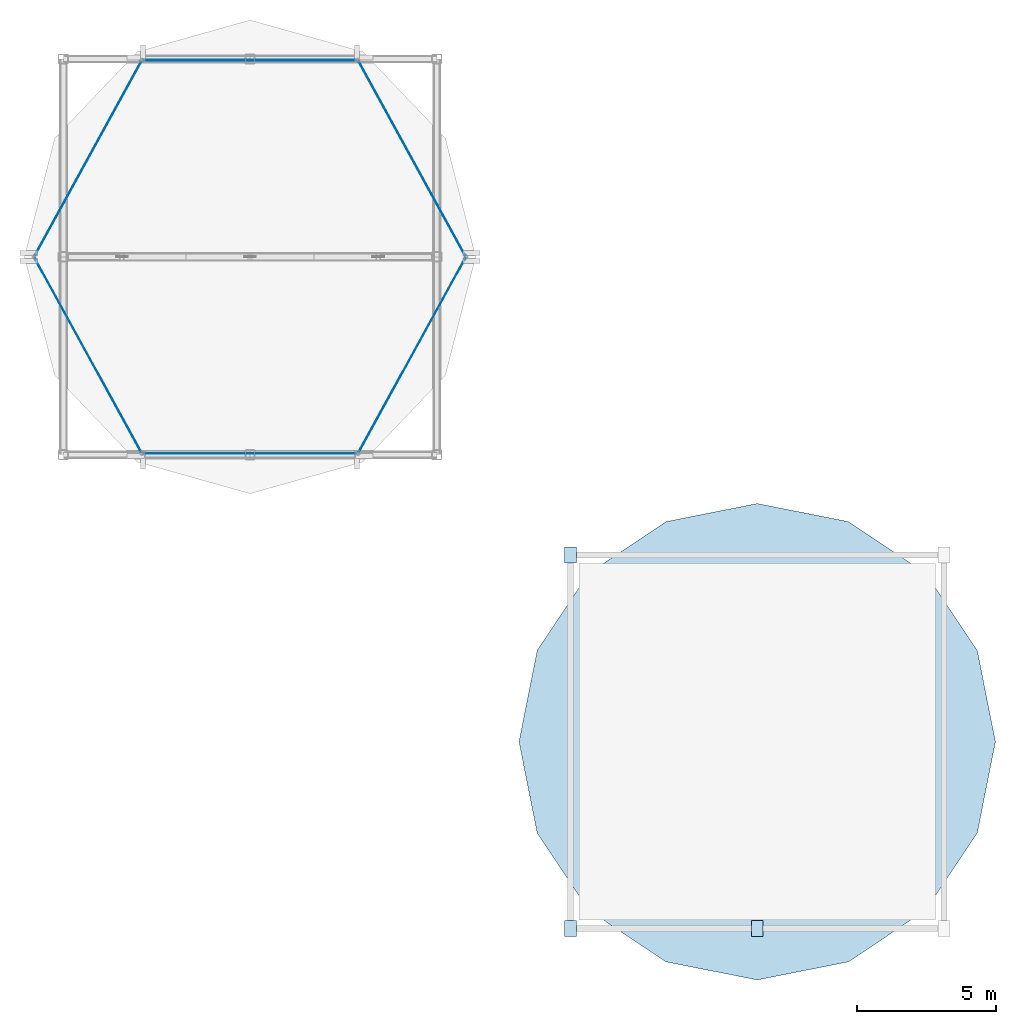
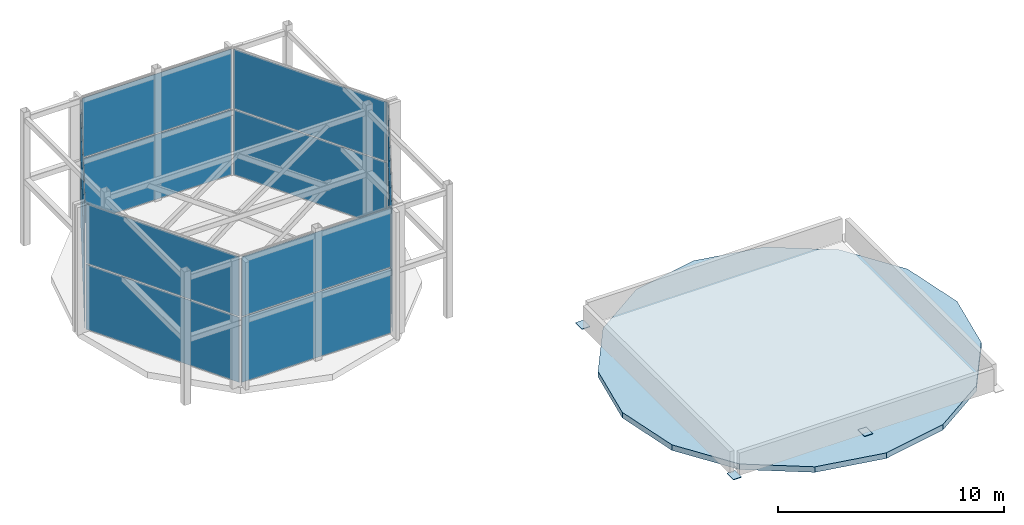
# One storey, part 6 of 8: 15 plates, 1 slab, 6 elements without a shape of their own.
"""IFC4 building model written with IfcOpenShell, lengths in metres."""

import ifcopenshell
import ifcopenshell.guid

model = None  # the IFC model being written
_history = None  # IfcOwnerHistory: only IFC2X3 demands one
_inside = {}  # id of a spatial element -> (the spatial element, [elements in it])
_under = {}  # id of a project, library or spatial element -> (it, [spatial elements below it])
_declared = {}  # id of a project -> (the project, [libraries it declares])
_typed = {}  # id of a type object -> (the type object, [elements of that type])
_made_of = {}  # id of a material, layer set ... -> (it, [elements and type objects made of it])


def new_model(schema):
    """Start an empty IFC model of exactly this schema.

    Asked for "IFC4X3", IfcOpenShell would pick the latest addendum, in which some entities
    have other attributes; the version numbers below select the first issue.
    IFC2X3 requires an IfcOwnerHistory on every rooted entity: one is made here for all.
    """
    global model, _history
    if schema == "IFC4X3":
        model = ifcopenshell.file(schema_version=(4, 3, 0, 0))
    else:
        model = ifcopenshell.file(schema=schema)
    _inside.clear()
    _under.clear()
    _declared.clear()
    _typed.clear()
    _made_of.clear()
    _history = None
    if model.schema == "IFC2X3":
        org = make("IfcOrganization", Name="unknown")
        user = make(
            "IfcPersonAndOrganization",
            ThePerson=make("IfcPerson", FamilyName="unknown"),
            TheOrganization=org,
        )
        app = make(
            "IfcApplication",
            ApplicationDeveloper=org,
            Version="unknown",
            ApplicationFullName="unknown",
            ApplicationIdentifier="unknown",
        )
        _history = make(
            "IfcOwnerHistory",
            OwningUser=user,
            OwningApplication=app,
            ChangeAction="ADDED",
            CreationDate=0,
        )
    return model


def make(cls, **values):
    """One entity of the class cls with the attributes given. An attribute that is None is left unset."""
    return model.create_entity(
        cls, **{name: value for name, value in values.items() if value is not None}
    )


def rooted(cls, **values):
    """An entity with a GlobalId (a new one), such as an element, a storey or a relation."""
    return make(cls, GlobalId=ifcopenshell.guid.new(), OwnerHistory=_history, **values)


def si_unit(unit_type, name, prefix=None):
    """IfcSIUnit, for example si_unit("LENGTHUNIT", "METRE", prefix="MILLI")."""
    return make("IfcSIUnit", UnitType=unit_type, Prefix=prefix, Name=name)


def assignment(units):
    """IfcUnitAssignment: the units of a project."""
    return None if units is None else make("IfcUnitAssignment", Units=units)


def point(xyz):
    """IfcCartesianPoint."""
    return None if xyz is None else make("IfcCartesianPoint", Coordinates=xyz)


def direction(xyz):
    """IfcDirection."""
    return None if xyz is None else make("IfcDirection", DirectionRatios=xyz)


def frame(location, z_axis=None, x_axis=None):
    """IfcAxis2Placement3D, a coordinate frame: its origin and axes. An axis left out is left unset."""
    return make(
        "IfcAxis2Placement3D",
        Location=point(location),
        Axis=direction(z_axis),
        RefDirection=direction(x_axis),
    )


def frame_2d(location, x_axis=None):
    """IfcAxis2Placement2D, a coordinate frame in the plane: its origin and x axis."""
    return make(
        "IfcAxis2Placement2D", Location=point(location), RefDirection=direction(x_axis)
    )


def origin():
    """The frame at (0, 0, 0) with its axes left unset."""
    return frame((0.0, 0.0, 0.0))


def origin_2d():
    """The frame at (0, 0) in the plane with its x axis left unset."""
    return frame_2d((0.0, 0.0))


def place(relative_to, where):
    """IfcLocalPlacement: puts the frame where relative to a parent placement (None: the world)."""
    return make(
        "IfcLocalPlacement", PlacementRelTo=relative_to, RelativePlacement=where
    )


def context(
    kind, dimensions, precision=None, world=None, true_north=None, identifier=None
):
    """IfcGeometricRepresentationContext, for example the 3D "Model" context."""
    return make(
        "IfcGeometricRepresentationContext",
        ContextIdentifier=identifier,
        ContextType=kind,
        CoordinateSpaceDimension=dimensions,
        Precision=precision,
        WorldCoordinateSystem=world,
        TrueNorth=true_north,
    )


def subcontext(parent, identifier, kind, view, scale=None):
    """IfcGeometricRepresentationSubContext, for example "Body" below "Model"."""
    return make(
        "IfcGeometricRepresentationSubContext",
        ContextIdentifier=identifier,
        ContextType=kind,
        ParentContext=parent,
        TargetScale=scale,
        TargetView=view,
    )


def project(units=None, contexts=None):
    """IfcProject with its units and contexts."""
    return rooted(
        "IfcProject",
        Name="project",
        RepresentationContexts=contexts,
        UnitsInContext=assignment(units),
    )


def spatial(cls, under=None, at=None, **own):
    """A site, building, storey or space (cls), placed at a placement, below another one or the project."""
    s = rooted(cls, ObjectPlacement=at, **own)
    if under is not None:
        _under.setdefault(under.id(), (under, []))[1].append(s)
    return s


def polyline(points):
    """IfcPolyline through the points."""
    return make("IfcPolyline", Points=[point(p) for p in points])


def profile(cls, at=None, kind="AREA", **sizes):
    """A parametric profile (cls). Its sizes go by their IFC names, for example OverallWidth=200.0."""
    return make(cls, ProfileType=kind, Position=at, **sizes)


def rectangle(**sizes):
    """IfcRectangleProfileDef."""
    return profile("IfcRectangleProfileDef", **sizes)


def outline(outer, holes=None, kind="AREA"):
    """IfcArbitraryClosedProfileDef: a profile drawn as a closed curve; with holes, ...WithVoids."""
    if holes is None:
        return make("IfcArbitraryClosedProfileDef", ProfileType=kind, OuterCurve=outer)
    return make(
        "IfcArbitraryProfileDefWithVoids",
        ProfileType=kind,
        OuterCurve=outer,
        InnerCurves=holes,
    )


def extrude(swept, where, along, depth):
    """IfcExtrudedAreaSolid: the profile swept, set in the frame where, extruded along a direction by depth."""
    return make(
        "IfcExtrudedAreaSolid",
        SweptArea=swept,
        Position=where,
        ExtrudedDirection=direction(along),
        Depth=depth,
    )


def shape(context_of_items, identifier, shape_type, items):
    """IfcShapeRepresentation: the items that make up one representation, for example the "Body"."""
    return make(
        "IfcShapeRepresentation",
        ContextOfItems=context_of_items,
        RepresentationIdentifier=identifier,
        RepresentationType=shape_type,
        Items=items,
    )


def material(Name=None, Category=None):
    """IfcMaterial."""
    return make("IfcMaterial", Name=Name, Category=Category)


def layer(
    of_material, thickness, ventilated=None, Name=None, Category=None, Priority=None
):
    """IfcMaterialLayer: one layer of a wall or slab, of a material (None: an air gap)."""
    return make(
        "IfcMaterialLayer",
        Material=of_material,
        LayerThickness=thickness,
        IsVentilated=ventilated,
        Name=Name,
        Category=Category,
        Priority=Priority,
    )


def layer_set(layers, Name=None):
    """IfcMaterialLayerSet."""
    return make("IfcMaterialLayerSet", MaterialLayers=layers, LayerSetName=Name)


def made_of(thing, what):
    """Note that an element or type object is made of a material, layer set ...; save() writes the relation."""
    if what is not None:
        _made_of.setdefault(what.id(), (what, []))[1].append(thing)
    return thing


def type_object(cls, material=None, **own):
    """A type object (cls), such as IfcWallType, which elements share."""
    return made_of(rooted(cls, **own), material)


def element(
    cls,
    number,
    at=None,
    inside=None,
    cuts=None,
    type_object=None,
    material=None,
    context=None,
    identifier="Body",
    shape_type=None,
    held_by="IfcProductDefinitionShape",
    body=None,
    shapes=None,
    **own,
):
    """One element of the class cls, such as IfcWall. Its Tag is "e" and its number.

    at: its placement. inside: the storey or other place that contains it. cuts: it is an
    opening in that element (IfcRelVoidsElement). A single representation is given by context,
    identifier, shape_type and body (its items); several are given by shapes. held_by: the class
    of the entity that holds the representations. save() writes the other relations.
    """
    e = rooted(cls, Tag="e%d" % number, ObjectPlacement=at, **own)
    if body is not None:
        shapes = [shape(context, identifier, shape_type, body)]
    if shapes is not None:
        e.Representation = make(held_by, Representations=shapes)
    if inside is not None:
        _inside.setdefault(inside.id(), (inside, []))[1].append(e)
    if cuts is not None:
        rooted(
            "IfcRelVoidsElement", RelatingBuildingElement=cuts, RelatedOpeningElement=e
        )
    if type_object is not None:
        _typed.setdefault(type_object.id(), (type_object, []))[1].append(e)
    return made_of(e, material)


def aggregate(whole, parts):
    """IfcRelAggregates: a whole, such as a stair, and the parts it consists of."""
    return rooted("IfcRelAggregates", RelatingObject=whole, RelatedObjects=parts)


def save(model, path):
    """Write the relations noted so far, then the file.

    IfcRelAggregates (storeys below a building ...), IfcRelContainedInSpatialStructure (elements
    in a storey), IfcRelDefinesByType, IfcRelAssociatesMaterial and IfcRelDeclares: one each for
    every whole, place, type object, material and project.
    """
    for whole, parts in _under.values():
        aggregate(whole, parts)
    for where, things in _inside.values():
        rooted(
            "IfcRelContainedInSpatialStructure",
            RelatedElements=things,
            RelatingStructure=where,
        )
    for kind, things in _typed.values():
        rooted("IfcRelDefinesByType", RelatedObjects=things, RelatingType=kind)
    for what, things in _made_of.values():
        rooted("IfcRelAssociatesMaterial", RelatedObjects=things, RelatingMaterial=what)
    for by, libraries in _declared.values():
        rooted("IfcRelDeclares", RelatingContext=by, RelatedDefinitions=libraries)
    model.write(path)


model = new_model("IFC4")

# Units and contexts
model_context = context("Model", 3, precision=1e-05, world=origin(), true_north=direction((0.0, 1.0)))
body_context = subcontext(model_context, "Body", "Model", "MODEL_VIEW")
ifc_project = project(units=[si_unit("LENGTHUNIT", "METRE"), si_unit("AREAUNIT", "SQUARE_METRE"), si_unit("VOLUMEUNIT", "CUBIC_METRE"), si_unit("PLANEANGLEUNIT", "RADIAN"), si_unit("MASSUNIT", "GRAM", prefix="KILO")], contexts=[model_context])

# Site, building, storey
site_placement = place(None, origin())
site = spatial("IfcSite", under=ifc_project, at=site_placement, CompositionType="ELEMENT")
building_placement = place(site_placement, origin())
building = spatial("IfcBuilding", under=site, at=building_placement, Name="Solvaryn Broadcast Tower", CompositionType="ELEMENT")
storey_placement = place(building_placement, frame((0.0, 0.0, 322.199951171875)))
storey = spatial("IfcBuildingStorey", under=building, at=storey_placement, Name="Roof East", CompositionType="ELEMENT", Elevation=322.199951171875)

# Curtain wall, plates
ifc_material_1 = material(Name="Aluminium and Terracotta Unitised Curtain Wall", Category="masonry")
ifc_layer_1 = layer(ifc_material_1, 0.2099609375)
ifc_layer_set_1 = layer_set([ifc_layer_1], Name="CW-SYS6-CROWN")
curtain_wall_type = type_object("IfcCurtainWallType", Name="CW-SYS6-CROWN", PredefinedType="NOTDEFINED", material=ifc_layer_set_1)
curtain_wall_1_placement = place(storey_placement, origin())
curtain_wall_1 = element("IfcCurtainWall", 1, at=curtain_wall_1_placement, inside=storey, type_object=curtain_wall_type, Name="Roof East Split-Top Crown Curtain Wall W1", PredefinedType="NOTDEFINED")
ifc_material_2 = material(Name="Acoustic Laminated Luminous Clear Glass", Category="glass")
ifc_layer_2 = layer(ifc_material_2, 0.0419921875)
ifc_layer_set_2 = layer_set([ifc_layer_2], Name="CW-PNL-DAMPER")
plate_type_1 = type_object("IfcPlateType", Name="CW-PNL-DAMPER", PredefinedType="CURTAIN_PANEL", material=ifc_layer_set_2)
plate_1_placement = place(storey_placement, frame((23.71240234375, 38.8291015625, 0.06005859375), z_axis=(0.0, 0.0, 1.0), x_axis=(-0.481260683391, 0.876577523452, 0.0)))
plate_1 = element("IfcPlate", 2, at=plate_1_placement, type_object=plate_type_1, Name="CWS6 panel 1.1", PredefinedType="CURTAIN_PANEL", context=body_context, shape_type="SweptSolid", body=[
    extrude(rectangle(XDim=7.931884765625, YDim=0.028076171875, at=origin_2d()), origin(), (0.0, 0.0, 1.0), 3.510009765625),
])
plate_2_placement = place(storey_placement, frame((23.71240234375, 38.8291015625, 3.630126953125), z_axis=(0.0, 0.0, 1.0), x_axis=(-0.481260683391, 0.876577523452, 0.0)))
plate_2 = element("IfcPlate", 3, at=plate_2_placement, type_object=plate_type_1, Name="CWS6 panel 1.2", PredefinedType="CURTAIN_PANEL", context=body_context, shape_type="SweptSolid", body=[
    extrude(rectangle(XDim=7.931884765625, YDim=0.028076171875, at=origin_2d()), origin(), (0.0, 0.0, 1.0), 3.2099609375),
])
aggregate(curtain_wall_1, [plate_1, plate_2])

curtain_wall_2_placement = place(storey_placement, origin())
curtain_wall_2 = element("IfcCurtainWall", 4, at=curtain_wall_2_placement, inside=storey, type_object=curtain_wall_type, Name="Roof East Split-Top Crown Curtain Wall W2", PredefinedType="NOTDEFINED")
plate_3_placement = place(storey_placement, frame((17.89990234375, 42.35791015625, 0.06005859375), z_axis=(0.0, 0.0, 1.0), x_axis=(-1.0, 0.0, 0.0)))
plate_3 = element("IfcPlate", 5, at=plate_3_placement, type_object=plate_type_1, Name="CWS6 panel 1.1", PredefinedType="CURTAIN_PANEL", context=body_context, shape_type="SweptSolid", body=[
    extrude(rectangle(XDim=7.6298828125, YDim=0.028076171875, at=origin_2d()), origin(), (0.0, 0.0, 1.0), 3.510009765625),
])
plate_4_placement = place(storey_placement, frame((17.89990234375, 42.35791015625, 3.630126953125), z_axis=(0.0, 0.0, 1.0), x_axis=(-1.0, 0.0, 0.0)))
plate_4 = element("IfcPlate", 6, at=plate_4_placement, type_object=plate_type_1, Name="CWS6 panel 1.2", PredefinedType="CURTAIN_PANEL", context=body_context, shape_type="SweptSolid", body=[
    extrude(rectangle(XDim=7.6298828125, YDim=0.028076171875, at=origin_2d()), origin(), (0.0, 0.0, 1.0), 3.2099609375),
])
aggregate(curtain_wall_2, [plate_3, plate_4])

curtain_wall_3_placement = place(storey_placement, origin())
curtain_wall_3 = element("IfcCurtainWall", 7, at=curtain_wall_3_placement, inside=storey, type_object=curtain_wall_type, Name="Roof East Split-Top Crown Curtain Wall W3", PredefinedType="NOTDEFINED")
plate_5_placement = place(storey_placement, frame((12.08740234375, 38.8291015625, 0.06005859375), z_axis=(0.0, 0.0, 1.0), x_axis=(-0.481260683391, -0.876577523452, 0.0)))
plate_5 = element("IfcPlate", 8, at=plate_5_placement, type_object=plate_type_1, Name="CWS6 panel 1.1", PredefinedType="CURTAIN_PANEL", context=body_context, shape_type="SweptSolid", body=[
    extrude(rectangle(XDim=7.931884765625, YDim=0.028076171875, at=origin_2d()), origin(), (0.0, 0.0, 1.0), 3.510009765625),
])
plate_6_placement = place(storey_placement, frame((12.08740234375, 38.8291015625, 3.630126953125), z_axis=(0.0, 0.0, 1.0), x_axis=(-0.481260683391, -0.876577523452, 0.0)))
plate_6 = element("IfcPlate", 9, at=plate_6_placement, type_object=plate_type_1, Name="CWS6 panel 1.2", PredefinedType="CURTAIN_PANEL", context=body_context, shape_type="SweptSolid", body=[
    extrude(rectangle(XDim=7.931884765625, YDim=0.028076171875, at=origin_2d()), origin(), (0.0, 0.0, 1.0), 3.2099609375),
])
aggregate(curtain_wall_3, [plate_5, plate_6])

curtain_wall_4_placement = place(storey_placement, origin())
curtain_wall_4 = element("IfcCurtainWall", 10, at=curtain_wall_4_placement, inside=storey, type_object=curtain_wall_type, Name="Roof East Split-Top Crown Curtain Wall W4", PredefinedType="NOTDEFINED")
plate_7_placement = place(storey_placement, frame((12.08740234375, 31.77099609375, 0.06005859375), z_axis=(0.0, 0.0, 1.0), x_axis=(0.481260683391, -0.876577523452, 0.0)))
plate_7 = element("IfcPlate", 11, at=plate_7_placement, type_object=plate_type_1, Name="CWS6 panel 1.1", PredefinedType="CURTAIN_PANEL", context=body_context, shape_type="SweptSolid", body=[
    extrude(rectangle(XDim=7.931884765625, YDim=0.028076171875, at=origin_2d()), origin(), (0.0, 0.0, 1.0), 3.510009765625),
])
plate_8_placement = place(storey_placement, frame((12.08740234375, 31.77099609375, 3.630126953125), z_axis=(0.0, 0.0, 1.0), x_axis=(0.481260683391, -0.876577523452, 0.0)))
plate_8 = element("IfcPlate", 12, at=plate_8_placement, type_object=plate_type_1, Name="CWS6 panel 1.2", PredefinedType="CURTAIN_PANEL", context=body_context, shape_type="SweptSolid", body=[
    extrude(rectangle(XDim=7.931884765625, YDim=0.028076171875, at=origin_2d()), origin(), (0.0, 0.0, 1.0), 3.2099609375),
])
aggregate(curtain_wall_4, [plate_7, plate_8])

curtain_wall_5_placement = place(storey_placement, origin())
curtain_wall_5 = element("IfcCurtainWall", 13, at=curtain_wall_5_placement, inside=storey, type_object=curtain_wall_type, Name="Roof East Split-Top Crown Curtain Wall W5", PredefinedType="NOTDEFINED")
plate_9_placement = place(storey_placement, frame((17.89990234375, 28.241943359375, 0.06005859375), z_axis=(0.0, 0.0, 1.0), x_axis=(1.0, 0.0, 0.0)))
plate_9 = element("IfcPlate", 14, at=plate_9_placement, type_object=plate_type_1, Name="CWS6 panel 1.1", PredefinedType="CURTAIN_PANEL", context=body_context, shape_type="SweptSolid", body=[
    extrude(rectangle(XDim=7.6298828125, YDim=0.028076171875, at=origin_2d()), origin(), (0.0, 0.0, 1.0), 3.510009765625),
])
plate_10_placement = place(storey_placement, frame((17.89990234375, 28.241943359375, 3.630126953125), z_axis=(0.0, 0.0, 1.0), x_axis=(1.0, 0.0, 0.0)))
plate_10 = element("IfcPlate", 15, at=plate_10_placement, type_object=plate_type_1, Name="CWS6 panel 1.2", PredefinedType="CURTAIN_PANEL", context=body_context, shape_type="SweptSolid", body=[
    extrude(rectangle(XDim=7.6298828125, YDim=0.028076171875, at=origin_2d()), origin(), (0.0, 0.0, 1.0), 3.2099609375),
])
aggregate(curtain_wall_5, [plate_9, plate_10])

curtain_wall_6_placement = place(storey_placement, origin())
curtain_wall_6 = element("IfcCurtainWall", 16, at=curtain_wall_6_placement, inside=storey, type_object=curtain_wall_type, Name="Roof East Split-Top Crown Curtain Wall W6", PredefinedType="NOTDEFINED")
plate_11_placement = place(storey_placement, frame((23.71240234375, 31.77099609375, 0.06005859375), z_axis=(0.0, 0.0, 1.0), x_axis=(0.481260683391, 0.876577523452, 0.0)))
plate_11 = element("IfcPlate", 17, at=plate_11_placement, type_object=plate_type_1, Name="CWS6 panel 1.1", PredefinedType="CURTAIN_PANEL", context=body_context, shape_type="SweptSolid", body=[
    extrude(rectangle(XDim=7.931884765625, YDim=0.028076171875, at=origin_2d()), origin(), (0.0, 0.0, 1.0), 3.510009765625),
])
plate_12_placement = place(storey_placement, frame((23.71240234375, 31.77099609375, 3.630126953125), z_axis=(0.0, 0.0, 1.0), x_axis=(0.481260683391, 0.876577523452, 0.0)))
plate_12 = element("IfcPlate", 18, at=plate_12_placement, type_object=plate_type_1, Name="CWS6 panel 1.2", PredefinedType="CURTAIN_PANEL", context=body_context, shape_type="SweptSolid", body=[
    extrude(rectangle(XDim=7.931884765625, YDim=0.028076171875, at=origin_2d()), origin(), (0.0, 0.0, 1.0), 3.2099609375),
])
aggregate(curtain_wall_6, [plate_11, plate_12])

# Plates
ifc_material_3 = material(Name="Steel ASTM A572 Grade 50", Category="steel")
ifc_layer_3 = layer(ifc_material_3, 0.031982421875)
ifc_layer_set_3 = layer_set([ifc_layer_3], Name="PL-ENDCAP-32")
plate_type_2 = type_object("IfcPlateType", Name="PL-ENDCAP-32", PredefinedType="USERDEFINED", material=ifc_layer_set_3)
for number, where, z_axis, x_axis, name in (
    (19, (29.39990234375, 11.199951171875, 0.0), (0.0, 0.0, 1.0), (1.0, 0.0, 0.0), "East Crown Column Cap Plate 1"),
    (20, (36.10009765625, 11.199951171875, 0.0), (0.0, 0.0, 1.0), (1.0, 0.0, 0.0), "East Crown Column Cap Plate 2"),
    (21, (29.39990234375, 24.60009765625, 0.0), (0.0, 0.0, 1.0), (1.0, 0.0, 0.0), "East Crown Column Cap Plate 5"),
):
    element("IfcPlate", number, at=place(storey_placement, frame(where, z_axis=z_axis, x_axis=x_axis)), inside=storey, type_object=plate_type_2, Name=name, ObjectType="FLANGE_PLATE", PredefinedType="USERDEFINED", context=body_context, shape_type="SweptSolid", body=[
        extrude(rectangle(XDim=0.419921875, YDim=0.580078125, at=origin_2d()), origin(), (0.0, 0.0, 1.0), 0.031982421875),
    ])

# Slab
ifc_material_4 = material(Name="Concrete f'c 60 MPa", Category="concrete")
ifc_layer_4 = layer(ifc_material_4, 0.300048828125)
ifc_layer_set_4 = layer_set([ifc_layer_4], Name="SL-ROOF-300")
slab_type = type_object("IfcSlabType", Name="SL-ROOF-300", PredefinedType="ROOF", material=ifc_layer_set_4)
slab_placement = place(storey_placement, frame((0.0, 0.0, -0.300048828125)))
element("IfcSlab", 22, at=slab_placement, inside=storey, type_object=slab_type, Name="East Lantern Drum Closed Flat Roof", PredefinedType="ROOF", context=body_context, shape_type="SweptSolid", body=[
    extrude(outline(polyline([(44.64990234375, 17.89990234375), (43.9990234375, 21.172119140625), (42.14599609375, 23.946044921875), (39.3720703125, 25.799072265625), (36.10009765625, 26.449951171875), (32.827880859375, 25.799072265625), (30.053955078125, 23.946044921875), (28.200927734375, 21.172119140625), (27.550048828125, 17.89990234375), (28.200927734375, 14.6279296875), (30.053955078125, 11.85400390625), (32.827880859375, 10.0009765625), (36.10009765625, 9.35009765625), (39.3720703125, 10.0009765625), (42.14599609375, 11.85400390625), (43.9990234375, 14.6279296875), (44.64990234375, 17.89990234375)])), origin(), (0.0, 0.0, 1.0), 0.300048828125),
])

save(model, "model.ifc")
